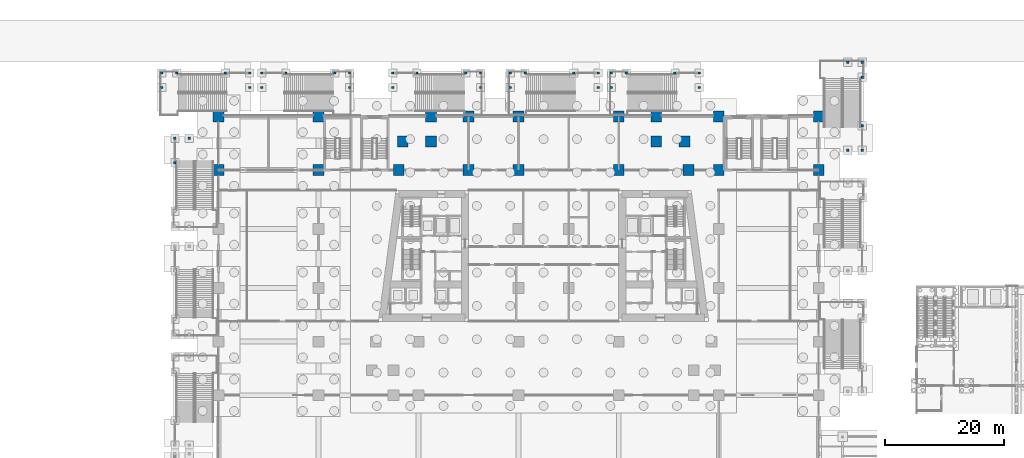
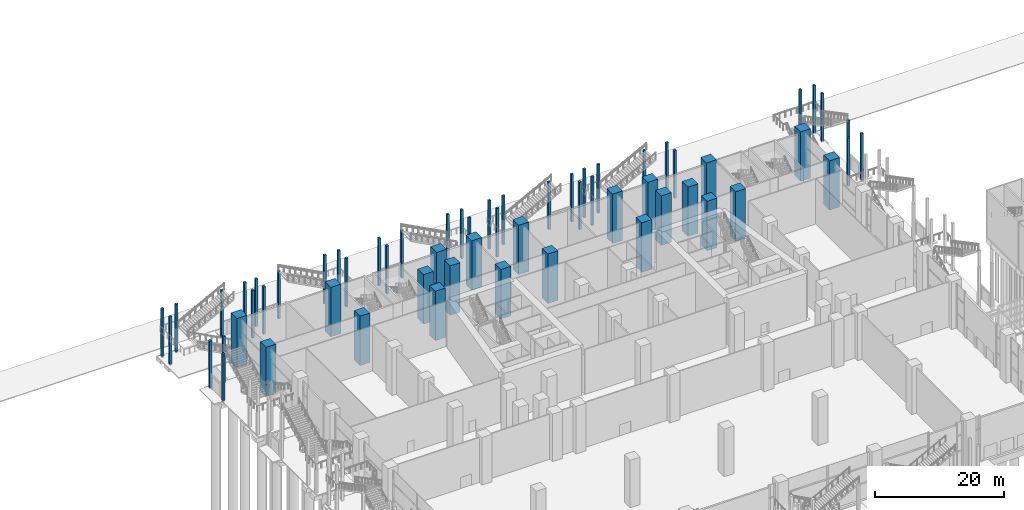
# One storey, part 13 of 72: 61 columns.
"""IFC4 building model written with IfcOpenShell, lengths in metres."""

from ifc_helpers import new_model, si_unit, direction, frame, origin, origin_2d, place, context, subcontext, project, spatial, rectangle, extrude, material, material_profile, profile_set, type_object, element, save


model = new_model("IFC4")

# Units and contexts
model_context = context("Model", 3, precision=1e-05, world=origin(), true_north=direction((0.0, 1.0)))
body_context = subcontext(model_context, "Body", "Model", "MODEL_VIEW")
ifc_project = project(units=[si_unit("LENGTHUNIT", "METRE"), si_unit("AREAUNIT", "SQUARE_METRE"), si_unit("VOLUMEUNIT", "CUBIC_METRE"), si_unit("PLANEANGLEUNIT", "RADIAN"), si_unit("MASSUNIT", "GRAM", prefix="KILO")], contexts=[model_context])

# Site, building, storey
site_placement = place(None, origin())
site = spatial("IfcSite", under=ifc_project, at=site_placement, CompositionType="ELEMENT")
building_placement = place(site_placement, origin())
building = spatial("IfcBuilding", under=site, at=building_placement, Name="Candeia Pilgrim Tower and Theatre", CompositionType="ELEMENT")
storey_placement = place(building_placement, origin())
storey = spatial("IfcBuildingStorey", under=building, at=storey_placement, Name="L00", CompositionType="ELEMENT", Elevation=0.0)

# Columns
ifc_material_1 = material(Name="Concrete C40/50", Category="concrete")
ifc_material_profile_1 = material_profile(ifc_material_1, rectangle(XDim=0.39990234375, YDim=0.39990234375, at=origin_2d()))
ifc_profile_set_1 = profile_set([ifc_material_profile_1], Name="Concrete C40/50")
column_type_1 = type_object("IfcColumnType", Name="Escape stair column RC 400x400", PredefinedType="COLUMN", material=ifc_profile_set_1)
for number, where, z_axis, x_axis, name in (
    (1, (166.89990234375, 139.14990234375, -0.199951171875), (0.0, 0.0, 1.0), (1.0, 0.0, 0.0), "External escape stair ES2 column N1.1"),
    (2, (166.89990234375, 143.25, -0.199951171875), (0.0, 0.0, 1.0), (1.0, 0.0, 0.0), "External escape stair ES2 column N2.1"),
    (3, (164.47509765625, 139.14990234375, -0.199951171875), (0.0, 0.0, 1.0), (1.0, 0.0, 0.0), "External escape stair ES2 column N3.1"),
):
    element("IfcColumn", number, at=place(storey_placement, frame(where, z_axis=z_axis, x_axis=x_axis)), inside=storey, type_object=column_type_1, Name=name, PredefinedType="COLUMN", context=body_context, shape_type="SweptSolid", body=[
        extrude(rectangle(XDim=0.39990234375, YDim=0.39990234375, at=origin_2d()), origin(), (0.0, 0.0, 1.0), 9.0),
    ])
for number, where, z_axis, x_axis, name in (
    (4, (166.89990234375, 151.409912109375, -0.199951171875), (0.0, 0.0, 1.0), (1.0, 0.0, 0.0), "External escape stair ES2 column F1.1"),
    (5, (166.89990234375, 153.909912109375, -0.199951171875), (0.0, 0.0, 1.0), (1.0, 0.0, 0.0), "External escape stair ES2 column F2.1"),
    (6, (164.47509765625, 153.909912109375, -0.199951171875), (0.0, 0.0, 1.0), (1.0, 0.0, 0.0), "External escape stair ES2 column F3.1"),
):
    element("IfcColumn", number, at=place(storey_placement, frame(where, z_axis=z_axis, x_axis=x_axis)), inside=storey, type_object=column_type_1, Name=name, PredefinedType="COLUMN", context=body_context, shape_type="SweptSolid", body=[
        extrude(rectangle(XDim=0.39990234375, YDim=0.39990234375, at=origin_2d()), origin(), (0.0, 0.0, 1.0), 9.199951171875),
    ])
for number, where, z_axis, x_axis, name in (
    (7, (64.050048828125, 152.10009765625, -0.199951171875), (0.0, 0.0, 1.0), (1.0, 0.0, 0.0), "External escape stair ES3 column N1.1"),
    (8, (59.949951171875, 152.10009765625, -0.199951171875), (0.0, 0.0, 1.0), (1.0, 0.0, 0.0), "External escape stair ES3 column N2.1"),
    (9, (64.050048828125, 149.675048828125, -0.199951171875), (0.0, 0.0, 1.0), (1.0, 0.0, 0.0), "External escape stair ES3 column N3.1"),
):
    element("IfcColumn", number, at=place(storey_placement, frame(where, z_axis=z_axis, x_axis=x_axis)), inside=storey, type_object=column_type_1, Name=name, PredefinedType="COLUMN", context=body_context, shape_type="SweptSolid", body=[
        extrude(rectangle(XDim=0.39990234375, YDim=0.39990234375, at=origin_2d()), origin(), (0.0, 0.0, 1.0), 9.0),
    ])
for number, where, z_axis, x_axis, name in (
    (10, (51.7900390625, 152.10009765625, -0.199951171875), (0.0, 0.0, 1.0), (1.0, 0.0, 0.0), "External escape stair ES3 column F1.1"),
    (11, (49.2900390625, 152.10009765625, -0.199951171875), (0.0, 0.0, 1.0), (1.0, 0.0, 0.0), "External escape stair ES3 column F2.1"),
    (12, (49.2900390625, 149.675048828125, -0.199951171875), (0.0, 0.0, 1.0), (1.0, 0.0, 0.0), "External escape stair ES3 column F3.1"),
):
    element("IfcColumn", number, at=place(storey_placement, frame(where, z_axis=z_axis, x_axis=x_axis)), inside=storey, type_object=column_type_1, Name=name, PredefinedType="COLUMN", context=body_context, shape_type="SweptSolid", body=[
        extrude(rectangle(XDim=0.39990234375, YDim=0.39990234375, at=origin_2d()), origin(), (0.0, 0.0, 1.0), 9.199951171875),
    ])
for number, where, z_axis, x_axis, name in (
    (13, (66.050048828125, 152.10009765625, -0.199951171875), (0.0, 0.0, 1.0), (1.0, 0.0, 0.0), "External escape stair ES4 column N1.1"),
    (14, (70.14990234375, 152.10009765625, -0.199951171875), (0.0, 0.0, 1.0), (1.0, 0.0, 0.0), "External escape stair ES4 column N2.1"),
    (15, (66.050048828125, 149.675048828125, -0.199951171875), (0.0, 0.0, 1.0), (1.0, 0.0, 0.0), "External escape stair ES4 column N3.1"),
):
    element("IfcColumn", number, at=place(storey_placement, frame(where, z_axis=z_axis, x_axis=x_axis)), inside=storey, type_object=column_type_1, Name=name, PredefinedType="COLUMN", context=body_context, shape_type="SweptSolid", body=[
        extrude(rectangle(XDim=0.39990234375, YDim=0.39990234375, at=origin_2d()), origin(), (0.0, 0.0, 1.0), 9.0),
    ])
for number, where, z_axis, x_axis, name in (
    (16, (78.31005859375, 152.10009765625, -0.199951171875), (0.0, 0.0, 1.0), (1.0, 0.0, 0.0), "External escape stair ES4 column F1.1"),
    (17, (80.81005859375, 152.10009765625, -0.199951171875), (0.0, 0.0, 1.0), (1.0, 0.0, 0.0), "External escape stair ES4 column F2.1"),
    (18, (80.81005859375, 149.675048828125, -0.199951171875), (0.0, 0.0, 1.0), (1.0, 0.0, 0.0), "External escape stair ES4 column F3.1"),
):
    element("IfcColumn", number, at=place(storey_placement, frame(where, z_axis=z_axis, x_axis=x_axis)), inside=storey, type_object=column_type_1, Name=name, PredefinedType="COLUMN", context=body_context, shape_type="SweptSolid", body=[
        extrude(rectangle(XDim=0.39990234375, YDim=0.39990234375, at=origin_2d()), origin(), (0.0, 0.0, 1.0), 9.199951171875),
    ])
for number, where, z_axis, x_axis, name in (
    (19, (88.050048828125, 152.10009765625, -0.199951171875), (0.0, 0.0, 1.0), (1.0, 0.0, 0.0), "External escape stair ES5 column N1.1"),
    (20, (92.14990234375, 152.10009765625, -0.199951171875), (0.0, 0.0, 1.0), (1.0, 0.0, 0.0), "External escape stair ES5 column N2.1"),
    (21, (88.050048828125, 149.675048828125, -0.199951171875), (0.0, 0.0, 1.0), (1.0, 0.0, 0.0), "External escape stair ES5 column N3.1"),
):
    element("IfcColumn", number, at=place(storey_placement, frame(where, z_axis=z_axis, x_axis=x_axis)), inside=storey, type_object=column_type_1, Name=name, PredefinedType="COLUMN", context=body_context, shape_type="SweptSolid", body=[
        extrude(rectangle(XDim=0.39990234375, YDim=0.39990234375, at=origin_2d()), origin(), (0.0, 0.0, 1.0), 9.0),
    ])
for number, where, z_axis, x_axis, name in (
    (22, (100.31005859375, 152.10009765625, -0.199951171875), (0.0, 0.0, 1.0), (1.0, 0.0, 0.0), "External escape stair ES5 column F1.1"),
    (23, (102.81005859375, 152.10009765625, -0.199951171875), (0.0, 0.0, 1.0), (1.0, 0.0, 0.0), "External escape stair ES5 column F2.1"),
    (24, (102.81005859375, 149.675048828125, -0.199951171875), (0.0, 0.0, 1.0), (1.0, 0.0, 0.0), "External escape stair ES5 column F3.1"),
):
    element("IfcColumn", number, at=place(storey_placement, frame(where, z_axis=z_axis, x_axis=x_axis)), inside=storey, type_object=column_type_1, Name=name, PredefinedType="COLUMN", context=body_context, shape_type="SweptSolid", body=[
        extrude(rectangle(XDim=0.39990234375, YDim=0.39990234375, at=origin_2d()), origin(), (0.0, 0.0, 1.0), 9.199951171875),
    ])
for number, where, z_axis, x_axis, name in (
    (25, (122.550048828125, 152.10009765625, -0.199951171875), (0.0, 0.0, 1.0), (1.0, 0.0, 0.0), "External escape stair ES6 column N1.1"),
    (26, (118.449951171875, 152.10009765625, -0.199951171875), (0.0, 0.0, 1.0), (1.0, 0.0, 0.0), "External escape stair ES6 column N2.1"),
    (27, (122.550048828125, 149.675048828125, -0.199951171875), (0.0, 0.0, 1.0), (1.0, 0.0, 0.0), "External escape stair ES6 column N3.1"),
):
    element("IfcColumn", number, at=place(storey_placement, frame(where, z_axis=z_axis, x_axis=x_axis)), inside=storey, type_object=column_type_1, Name=name, PredefinedType="COLUMN", context=body_context, shape_type="SweptSolid", body=[
        extrude(rectangle(XDim=0.39990234375, YDim=0.39990234375, at=origin_2d()), origin(), (0.0, 0.0, 1.0), 9.0),
    ])
for number, where, z_axis, x_axis, name in (
    (28, (110.2900390625, 152.10009765625, -0.199951171875), (0.0, 0.0, 1.0), (1.0, 0.0, 0.0), "External escape stair ES6 column F1.1"),
    (29, (107.7900390625, 152.10009765625, -0.199951171875), (0.0, 0.0, 1.0), (1.0, 0.0, 0.0), "External escape stair ES6 column F2.1"),
    (30, (107.7900390625, 149.675048828125, -0.199951171875), (0.0, 0.0, 1.0), (1.0, 0.0, 0.0), "External escape stair ES6 column F3.1"),
):
    element("IfcColumn", number, at=place(storey_placement, frame(where, z_axis=z_axis, x_axis=x_axis)), inside=storey, type_object=column_type_1, Name=name, PredefinedType="COLUMN", context=body_context, shape_type="SweptSolid", body=[
        extrude(rectangle(XDim=0.39990234375, YDim=0.39990234375, at=origin_2d()), origin(), (0.0, 0.0, 1.0), 9.199951171875),
    ])
for number, where, z_axis, x_axis, name in (
    (31, (139.550048828125, 152.10009765625, -0.199951171875), (0.0, 0.0, 1.0), (1.0, 0.0, 0.0), "External escape stair ES7 column N1.1"),
    (32, (135.449951171875, 152.10009765625, -0.199951171875), (0.0, 0.0, 1.0), (1.0, 0.0, 0.0), "External escape stair ES7 column N2.1"),
    (33, (139.550048828125, 149.675048828125, -0.199951171875), (0.0, 0.0, 1.0), (1.0, 0.0, 0.0), "External escape stair ES7 column N3.1"),
):
    element("IfcColumn", number, at=place(storey_placement, frame(where, z_axis=z_axis, x_axis=x_axis)), inside=storey, type_object=column_type_1, Name=name, PredefinedType="COLUMN", context=body_context, shape_type="SweptSolid", body=[
        extrude(rectangle(XDim=0.39990234375, YDim=0.39990234375, at=origin_2d()), origin(), (0.0, 0.0, 1.0), 9.0),
    ])
for number, where, z_axis, x_axis, name in (
    (34, (127.2900390625, 152.10009765625, -0.199951171875), (0.0, 0.0, 1.0), (1.0, 0.0, 0.0), "External escape stair ES7 column F1.1"),
    (35, (124.7900390625, 152.10009765625, -0.199951171875), (0.0, 0.0, 1.0), (1.0, 0.0, 0.0), "External escape stair ES7 column F2.1"),
    (36, (124.7900390625, 149.675048828125, -0.199951171875), (0.0, 0.0, 1.0), (1.0, 0.0, 0.0), "External escape stair ES7 column F3.1"),
):
    element("IfcColumn", number, at=place(storey_placement, frame(where, z_axis=z_axis, x_axis=x_axis)), inside=storey, type_object=column_type_1, Name=name, PredefinedType="COLUMN", context=body_context, shape_type="SweptSolid", body=[
        extrude(rectangle(XDim=0.39990234375, YDim=0.39990234375, at=origin_2d()), origin(), (0.0, 0.0, 1.0), 9.199951171875),
    ])
for number, where, z_axis, x_axis, name in (
    (37, (51.5, 141.14990234375, -0.199951171875), (0.0, 0.0, 1.0), (1.0, 0.0, 0.0), "External escape stair ES13 column N1.1"),
    (38, (51.5, 137.050048828125, -0.199951171875), (0.0, 0.0, 1.0), (1.0, 0.0, 0.0), "External escape stair ES13 column N2.1"),
    (39, (53.925048828125, 141.14990234375, -0.199951171875), (0.0, 0.0, 1.0), (1.0, 0.0, 0.0), "External escape stair ES13 column N3.1"),
):
    element("IfcColumn", number, at=place(storey_placement, frame(where, z_axis=z_axis, x_axis=x_axis)), inside=storey, type_object=column_type_1, Name=name, PredefinedType="COLUMN", context=body_context, shape_type="SweptSolid", body=[
        extrude(rectangle(XDim=0.39990234375, YDim=0.39990234375, at=origin_2d()), origin(), (0.0, 0.0, 1.0), 9.0),
    ])
ifc_material_2 = material(Name="Concrete C80/95", Category="concrete")
ifc_material_profile_2 = material_profile(ifc_material_2, rectangle(XDim=1.800048828125, YDim=1.800048828125, at=origin_2d()))
ifc_profile_set_2 = profile_set([ifc_material_profile_2], Name="Concrete C80/95")
column_type_2 = type_object("IfcColumnType", Name="RC 1800x1800 C80/95", PredefinedType="COLUMN", material=ifc_profile_set_2)
for number, where, z_axis, x_axis, name in (
    (40, (58.800048828125, 135.800048828125, -0.35009765625), (0.0, 0.0, 1.0), (1.0, 0.0, 0.0), "Column P-0252+0378"),
    (41, (75.60009765625, 135.800048828125, -0.35009765625), (0.0, 0.0, 1.0), (1.0, 0.0, 0.0), "Column P-0084+0378"),
    (42, (89.08837890625, 135.800048828125, -0.35009765625), (0.0, 0.0, 1.0), (1.0, 0.0, 0.0), "Column P+0051+0378"),
    (43, (100.800048828125, 135.800048828125, -0.35009765625), (0.0, 0.0, 1.0), (1.0, 0.0, 0.0), "Column P+0168+0378"),
    (44, (109.199951171875, 135.800048828125, -0.35009765625), (0.0, 0.0, 1.0), (1.0, 0.0, 0.0), "Column P+0252+0378"),
    (45, (126.0, 135.800048828125, -0.35009765625), (0.0, 0.0, 1.0), (1.0, 0.0, 0.0), "Column P+0420+0378"),
    (46, (137.71142578125, 135.800048828125, -0.35009765625), (0.0, 0.0, 1.0), (1.0, 0.0, 0.0), "Column P+0537+0378"),
    (47, (142.800048828125, 135.800048828125, -0.35009765625), (0.0, 0.0, 1.0), (1.0, 0.0, 0.0), "Column P+0588+0378"),
    (48, (159.60009765625, 135.800048828125, -0.35009765625), (0.0, 0.0, 1.0), (1.0, 0.0, 0.0), "Column P+0756+0378"),
    (49, (89.734619140625, 140.60009765625, -0.35009765625), (0.0, 0.0, 1.0), (1.0, 0.0, 0.0), "Column P+0057+0426"),
    (50, (94.5, 140.60009765625, -0.35009765625), (0.0, 0.0, 1.0), (1.0, 0.0, 0.0), "Column P+0105+0426"),
    (51, (132.300048828125, 140.60009765625, -0.35009765625), (0.0, 0.0, 1.0), (1.0, 0.0, 0.0), "Column P+0483+0426"),
    (52, (137.0654296875, 140.60009765625, -0.35009765625), (0.0, 0.0, 1.0), (1.0, 0.0, 0.0), "Column P+0531+0426"),
    (53, (58.800048828125, 144.800048828125, -0.35009765625), (0.0, 0.0, 1.0), (1.0, 0.0, 0.0), "Column P-0252+0468"),
    (54, (75.60009765625, 144.800048828125, -0.35009765625), (0.0, 0.0, 1.0), (1.0, 0.0, 0.0), "Column P-0084+0468"),
    (55, (94.5, 144.800048828125, -0.35009765625), (0.0, 0.0, 1.0), (1.0, 0.0, 0.0), "Column P+0105+0468"),
    (56, (100.800048828125, 144.800048828125, -0.35009765625), (0.0, 0.0, 1.0), (1.0, 0.0, 0.0), "Column P+0168+0468"),
    (57, (109.199951171875, 144.800048828125, -0.35009765625), (0.0, 0.0, 1.0), (1.0, 0.0, 0.0), "Column P+0252+0468"),
    (58, (126.0, 144.800048828125, -0.35009765625), (0.0, 0.0, 1.0), (1.0, 0.0, 0.0), "Column P+0420+0468"),
    (59, (132.300048828125, 144.800048828125, -0.35009765625), (0.0, 0.0, 1.0), (1.0, 0.0, 0.0), "Column P+0483+0468"),
    (60, (142.800048828125, 144.800048828125, -0.35009765625), (0.0, 0.0, 1.0), (1.0, 0.0, 0.0), "Column P+0588+0468"),
    (61, (159.60009765625, 144.800048828125, -0.35009765625), (0.0, 0.0, 1.0), (1.0, 0.0, 0.0), "Column P+0756+0468"),
):
    element("IfcColumn", number, at=place(storey_placement, frame(where, z_axis=z_axis, x_axis=x_axis)), inside=storey, type_object=column_type_2, Name=name, PredefinedType="COLUMN", context=body_context, shape_type="SweptSolid", body=[
        extrude(rectangle(XDim=1.800048828125, YDim=1.800048828125, at=origin_2d()), origin(), (0.0, 0.0, 1.0), 9.35009765625),
    ])

save(model, "model.ifc")
